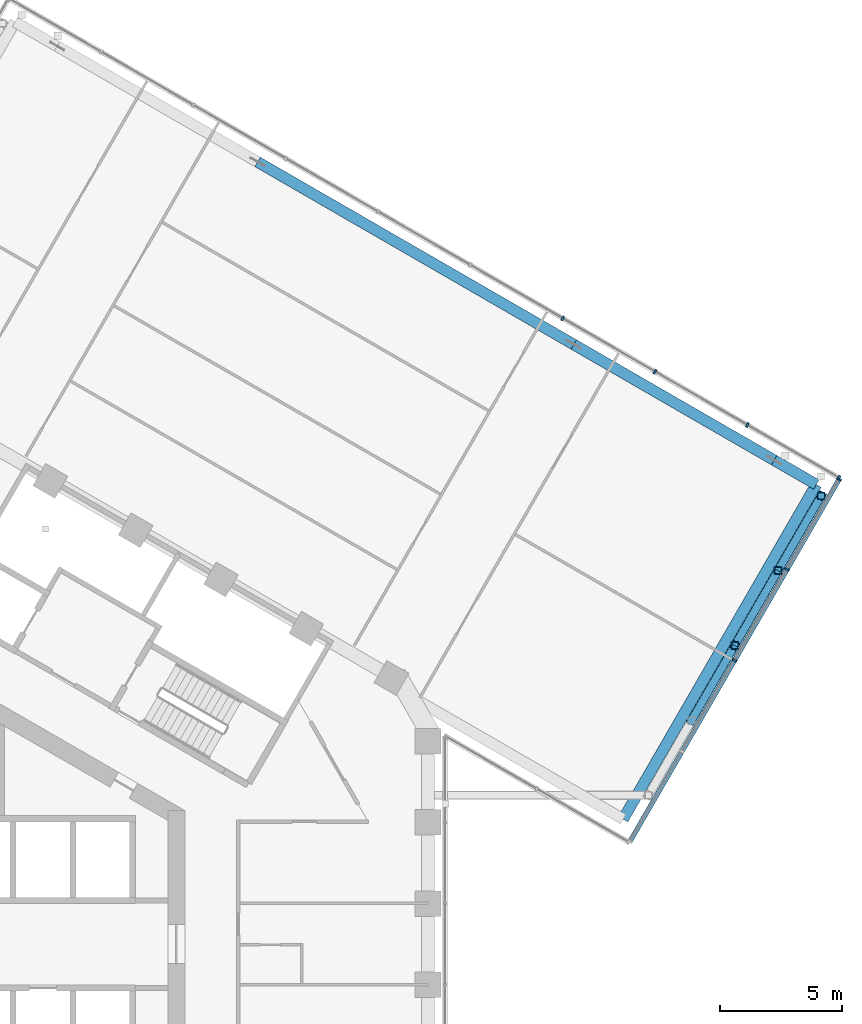
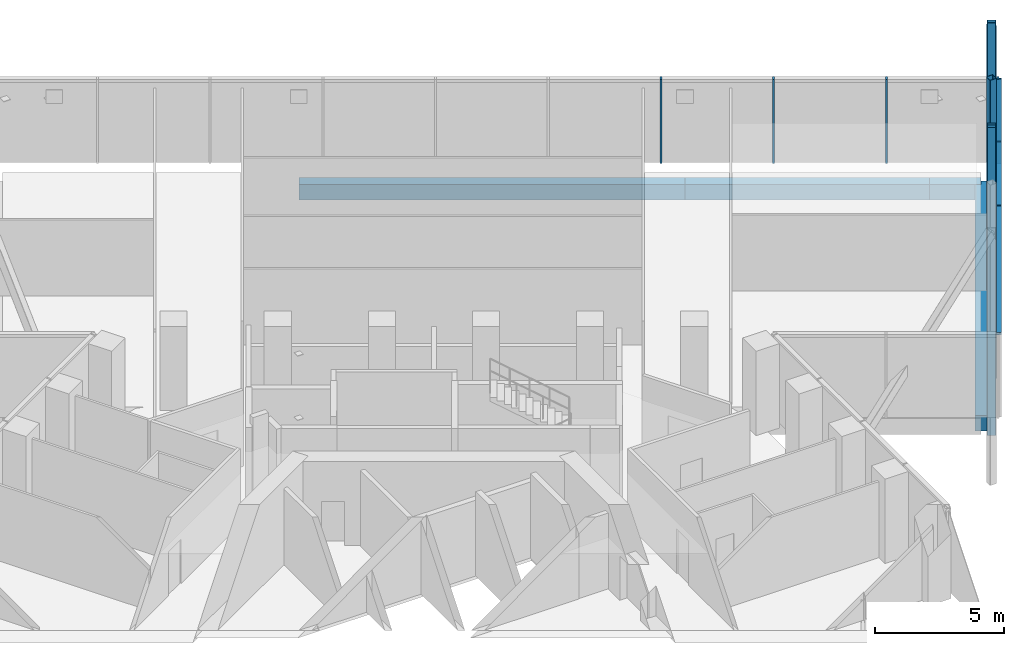
# One storey, part 8 of 25: 14 members, 4 beams, 2 elements without a shape of their own.
"""IFC4 building model written with IfcOpenShell, lengths in metres."""

from ifc_helpers import new_model, si_unit, direction, frame, origin, origin_2d, place, context, subcontext, project, spatial, rectangle, hollow_rectangle, extrude, material, layer, layer_set, material_profile, profile_set, type_object, element, aggregate, save


model = new_model("IFC4")

# Units and contexts
model_context = context("Model", 3, precision=1e-05, world=origin(), true_north=direction((0.0, 1.0)))
body_context = subcontext(model_context, "Body", "Model", "MODEL_VIEW")
ifc_project = project(units=[si_unit("LENGTHUNIT", "METRE"), si_unit("AREAUNIT", "SQUARE_METRE"), si_unit("VOLUMEUNIT", "CUBIC_METRE"), si_unit("PLANEANGLEUNIT", "RADIAN"), si_unit("MASSUNIT", "GRAM", prefix="KILO")], contexts=[model_context])

# Site, building, storey
site_placement = place(None, origin())
site = spatial("IfcSite", under=ifc_project, at=site_placement, CompositionType="ELEMENT")
building_placement = place(site_placement, origin())
building = spatial("IfcBuilding", under=site, at=building_placement, Name="Ayvan Gate Tower", CompositionType="ELEMENT")
storey_placement = place(building_placement, frame((0.0, 0.0, 139.89990234375)))
storey = spatial("IfcBuildingStorey", under=building, at=storey_placement, Name="L37", CompositionType="ELEMENT", Elevation=139.89990234375)

# Beams
ifc_material_1 = material(Name="Concrete C40/50", Category="concrete")
ifc_material_profile_1 = material_profile(ifc_material_1, rectangle(XDim=0.449951171875, YDim=0.75, at=origin_2d()), Name="RC 450x750")
ifc_profile_set_1 = profile_set([ifc_material_profile_1], Name="Concrete C40/50")
beam_type = type_object("IfcBeamType", Name="Sky bar edge beam RC 450x750 C40/50", PredefinedType="BEAM", material=ifc_profile_set_1)
beam_1_placement = place(storey_placement, frame((12.4853515625, 32.125244140625, -0.77490234375), z_axis=(0.866027028085, -0.499997186618, 0.0), x_axis=(0.499997186618, 0.866027028085, 0.0)))
element("IfcBeam", 1, at=beam_1_placement, inside=storey, type_object=beam_type, Name="EB-B3-L37-5", PredefinedType="BEAM", context=body_context, shape_type="SweptSolid", body=[
    extrude(rectangle(XDim=0.449951171875, YDim=0.75, at=origin_2d()), origin(), (0.0, 0.0, 1.0), 15.0),
])
beam_2_placement = place(storey_placement, frame((25.475830078125, 24.625244140625, -0.77490234375), z_axis=(0.866020389056, -0.500008685663, 0.0), x_axis=(0.500008685663, 0.866020389056, 0.0)))
element("IfcBeam", 2, at=beam_2_placement, inside=storey, type_object=beam_type, Name="EB-B3-L37-6", PredefinedType="BEAM", context=body_context, shape_type="SweptSolid", body=[
    extrude(rectangle(XDim=0.449951171875, YDim=0.75, at=origin_2d()), origin(), (0.0, 0.0, 1.0), 9.499755859375),
])
beam_3_placement = place(storey_placement, frame((33.702880859375, 19.875244140625, -0.77490234375), z_axis=(0.866041268327, -0.499972520799, 0.0), x_axis=(0.499972520799, 0.866041268327, 0.0)))
element("IfcBeam", 3, at=beam_3_placement, inside=storey, type_object=beam_type, Name="EB-B3-L37-7", PredefinedType="BEAM", context=body_context, shape_type="SweptSolid", body=[
    extrude(rectangle(XDim=0.449951171875, YDim=0.75, at=origin_2d()), origin(), (0.0, 0.0, 1.0), 2.0),
])
beam_4_placement = place(storey_placement, frame((35.43505859375, 18.875244140625, -0.77490234375), z_axis=(-0.500007429784, -0.866021114154, 0.0), x_axis=(0.866021114154, -0.500007429784, 0.0)))
element("IfcBeam", 4, at=beam_4_placement, inside=storey, type_object=beam_type, Name="EB-B3-L37-8", PredefinedType="BEAM", context=body_context, shape_type="SweptSolid", body=[
    extrude(rectangle(XDim=0.449951171875, YDim=0.75, at=origin_2d()), origin(), (0.0, 0.0, 1.0), 15.869873046875),
])

# Members
ifc_material_2 = material(Name="Steel S460NH", Category="steel")
ifc_material_profile_2 = material_profile(ifc_material_2, hollow_rectangle(XDim=0.35009765625, YDim=0.35009765625, WallThickness=0.01611328125, InnerFilletRadius=0.01611328125, OuterFilletRadius=0.02392578125, at=origin_2d()), Name="RHS 350x350x16")
ifc_profile_set_2 = profile_set([ifc_material_profile_2], Name="Steel S460NH")
member_type_1 = type_object("IfcMemberType", Name="Sky bar truss brace B3 RHS 350x350x16", PredefinedType="BRACE", material=ifc_profile_set_2)
for number, where, z_axis, x_axis, name in (
    (5, (30.310791015625, 9.189697265625, -4.724853515625), (0.140754903685, 0.243813824223, 0.959553477513), (-0.8660424351, 0.499970499736, 0.0), "SBX3-B-D-3"),
    (6, (32.085693359375, 12.26416015625, 7.375), (0.140773881087, 0.243813159747, -0.959550862403), (-0.866012656725, 0.500022077904, 0.0), "SBX3-B-D-4"),
    (7, (33.86083984375, 15.338623046875, -4.724853515625), (0.140755568096, 0.243795613956, 0.959558006931), (-0.866025242659, 0.500000279077, 0.0), "SBX3-B-D-5"),
):
    element("IfcMember", number, at=place(storey_placement, frame(where, z_axis=z_axis, x_axis=x_axis)), inside=storey, type_object=member_type_1, Name=name, PredefinedType="BRACE", context=body_context, shape_type="SweptSolid", body=[
        extrude(hollow_rectangle(XDim=0.35009765625, YDim=0.35009765625, WallThickness=0.01611328125, InnerFilletRadius=0.01611328125, OuterFilletRadius=0.02392578125, at=origin_2d()), origin(), (0.0, 0.0, 1.0), 12.60986328125),
    ])
ifc_material_profile_3 = material_profile(ifc_material_2, hollow_rectangle(XDim=0.300048828125, YDim=0.300048828125, WallThickness=0.01611328125, InnerFilletRadius=0.01611328125, OuterFilletRadius=0.02392578125, at=origin_2d()), Name="RHS 300x300x16")
ifc_profile_set_3 = profile_set([ifc_material_profile_3], Name="Steel S460NH")
member_type_2 = type_object("IfcMemberType", Name="Sky bar truss post B3 RHS 300x300x16", PredefinedType="POST", material=ifc_profile_set_3)
for number, where, z_axis, x_axis, name in (
    (8, (32.085693359375, 12.26416015625, -4.5498046875), (0.0, 0.0, 1.0), (1.0, 0.0, 0.0), "SBX3-B-P-3"),
    (9, (33.86083984375, 15.338623046875, -4.5498046875), (0.0, 0.0, 1.0), (1.0, 0.0, 0.0), "SBX3-B-P-4"),
    (10, (35.6357421875, 18.412841796875, -4.5498046875), (0.0, 0.0, 1.0), (1.0, 0.0, 0.0), "SBX3-B-P-5"),
):
    element("IfcMember", number, at=place(storey_placement, frame(where, z_axis=z_axis, x_axis=x_axis)), inside=storey, type_object=member_type_2, Name=name, PredefinedType="POST", context=body_context, shape_type="SweptSolid", body=[
        extrude(hollow_rectangle(XDim=0.300048828125, YDim=0.300048828125, WallThickness=0.01611328125, InnerFilletRadius=0.01611328125, OuterFilletRadius=0.02392578125, at=origin_2d()), origin(), (0.0, 0.0, 1.0), 11.75),
    ])

# Curtain wall, members
ifc_material_3 = material(Name="Bronze anodised aluminium", Category="aluminium")
ifc_layer = layer(ifc_material_3, 0.199951171875)
ifc_layer_set = layer_set([ifc_layer], Name="Bronze anodised aluminium")
curtain_wall_type = type_object("IfcCurtainWallType", Name="Stick curtain wall CW-4", PredefinedType="NOTDEFINED", material=ifc_layer_set)
curtain_wall_1_placement = place(storey_placement, origin())
curtain_wall_1 = element("IfcCurtainWall", 11, at=curtain_wall_1_placement, inside=storey, type_object=curtain_wall_type, Name="Stick curtain wall CW-4 L37", PredefinedType="NOTDEFINED")
ifc_material_profile_4 = material_profile(ifc_material_3, rectangle(XDim=0.199951171875, YDim=0.080078125, at=origin_2d()), Name="Stick curtain wall CW-4 mullion 200 x 80")
ifc_profile_set_4 = profile_set([ifc_material_profile_4], Name="Bronze anodised aluminium")
member_type_3 = type_object("IfcMemberType", Name="Stick curtain wall CW-4 mullion 200 x 80", PredefinedType="MULLION", material=ifc_profile_set_4)
member_1_placement = place(storey_placement, frame((32.07373046875, 11.6533203125, 0.0), z_axis=(0.0, 0.0, 1.0), x_axis=(0.866025403784, -0.5, 0.0)))
member_1 = element("IfcMember", 12, at=member_1_placement, type_object=member_type_3, Name="CW-4 mullion 3", PredefinedType="MULLION", context=body_context, shape_type="SweptSolid", body=[
    extrude(rectangle(XDim=0.199951171875, YDim=0.080078125, at=origin_2d()), origin(), (0.0, 0.0, 1.0), 4.0),
])
member_2_placement = place(storey_placement, frame((34.232421875, 15.392333984375, 0.0), z_axis=(0.0, 0.0, 1.0), x_axis=(0.866025403784, -0.5, 0.0)))
member_2 = element("IfcMember", 13, at=member_2_placement, type_object=member_type_3, Name="CW-4 mullion 4", PredefinedType="MULLION", context=body_context, shape_type="SweptSolid", body=[
    extrude(rectangle(XDim=0.199951171875, YDim=0.080078125, at=origin_2d()), origin(), (0.0, 0.0, 1.0), 4.0),
])
member_3_placement = place(storey_placement, frame((36.371337890625, 19.096923828125, 0.0), z_axis=(0.0, 0.0, 1.0), x_axis=(0.866025403784, -0.5, 0.0)))
member_3 = element("IfcMember", 14, at=member_3_placement, type_object=member_type_3, Name="CW-4 mullion 5", PredefinedType="MULLION", context=body_context, shape_type="SweptSolid", body=[
    extrude(rectangle(XDim=0.199951171875, YDim=0.080078125, at=origin_2d()), origin(), (0.0, 0.0, 1.0), 4.0),
])

curtain_wall_2_placement = place(storey_placement, origin())
curtain_wall_2 = element("IfcCurtainWall", 15, at=curtain_wall_2_placement, inside=storey, type_object=curtain_wall_type, Name="Stick curtain wall CW-4 L37", PredefinedType="NOTDEFINED")
member_4_placement = place(storey_placement, frame((36.356689453125, 19.1513671875, 0.0), z_axis=(0.0, 0.0, 1.0), x_axis=(0.5, 0.866025403784, 0.0)))
member_4 = element("IfcMember", 16, at=member_4_placement, type_object=member_type_3, Name="CW-4 mullion 1", PredefinedType="MULLION", context=body_context, shape_type="SweptSolid", body=[
    extrude(rectangle(XDim=0.199951171875, YDim=0.080078125, at=origin_2d()), origin(), (0.0, 0.0, 1.0), 4.0),
])
member_5_placement = place(storey_placement, frame((32.599853515625, 21.3203125, 0.0), z_axis=(0.0, 0.0, 1.0), x_axis=(0.5, 0.866025403784, 0.0)))
member_5 = element("IfcMember", 17, at=member_5_placement, type_object=member_type_3, Name="CW-4 mullion 2", PredefinedType="MULLION", context=body_context, shape_type="SweptSolid", body=[
    extrude(rectangle(XDim=0.199951171875, YDim=0.080078125, at=origin_2d()), origin(), (0.0, 0.0, 1.0), 4.0),
])
member_6_placement = place(storey_placement, frame((28.80859375, 23.50927734375, 0.0), z_axis=(0.0, 0.0, 1.0), x_axis=(0.5, 0.866025403784, 0.0)))
member_6 = element("IfcMember", 18, at=member_6_placement, type_object=member_type_3, Name="CW-4 mullion 3", PredefinedType="MULLION", context=body_context, shape_type="SweptSolid", body=[
    extrude(rectangle(XDim=0.199951171875, YDim=0.080078125, at=origin_2d()), origin(), (0.0, 0.0, 1.0), 4.0),
])
member_7_placement = place(storey_placement, frame((25.017333984375, 25.6982421875, 0.0), z_axis=(0.0, 0.0, 1.0), x_axis=(0.5, 0.866025403784, 0.0)))
member_7 = element("IfcMember", 19, at=member_7_placement, type_object=member_type_3, Name="CW-4 mullion 4", PredefinedType="MULLION", context=body_context, shape_type="SweptSolid", body=[
    extrude(rectangle(XDim=0.199951171875, YDim=0.080078125, at=origin_2d()), origin(), (0.0, 0.0, 1.0), 4.0),
])
aggregate(curtain_wall_2, [member_4, member_5, member_6, member_7])

# Member
ifc_material_profile_5 = material_profile(ifc_material_3, rectangle(XDim=0.199951171875, YDim=0.139892578125, at=origin_2d()), Name="Stick curtain wall CW-4 transom 200 x 140")
ifc_profile_set_5 = profile_set([ifc_material_profile_5], Name="Bronze anodised aluminium")
member_type_4 = type_object("IfcMemberType", Name="Stick curtain wall CW-4 transom 200 x 140", PredefinedType="USERDEFINED", material=ifc_profile_set_5)
member_8_placement = place(storey_placement, frame((27.7763671875, 4.2099609375, 3.93017578125), z_axis=(0.499999069405, 0.866025941063, 0.0), x_axis=(-0.866025941063, 0.499999069405, 0.0)))
member_8 = element("IfcMember", 20, at=member_8_placement, type_object=member_type_4, Name="CW-4 transom 1", ObjectType="TRANSOM", PredefinedType="USERDEFINED", context=body_context, shape_type="SweptSolid", body=[
    extrude(rectangle(XDim=0.199951171875, YDim=0.139892578125, at=origin_2d()), origin(), (0.0, 0.0, 1.0), 17.18994140625),
])

aggregate(curtain_wall_1, [member_1, member_2, member_3, member_8])

save(model, "model.ifc")
